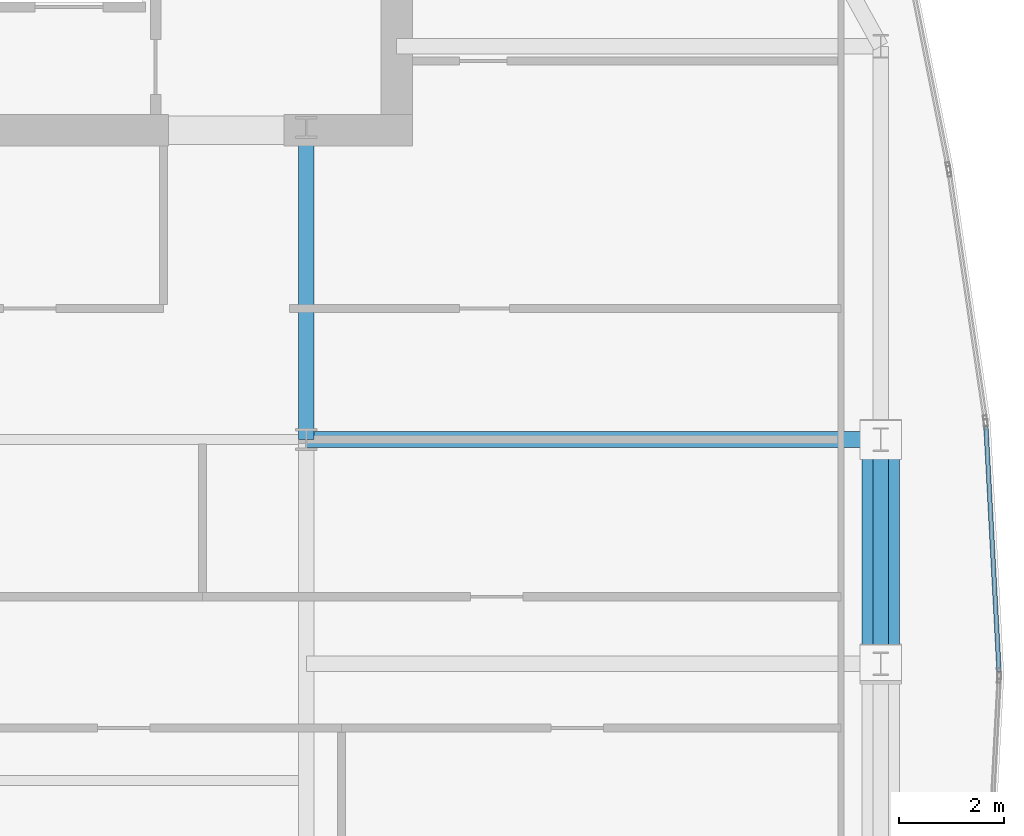
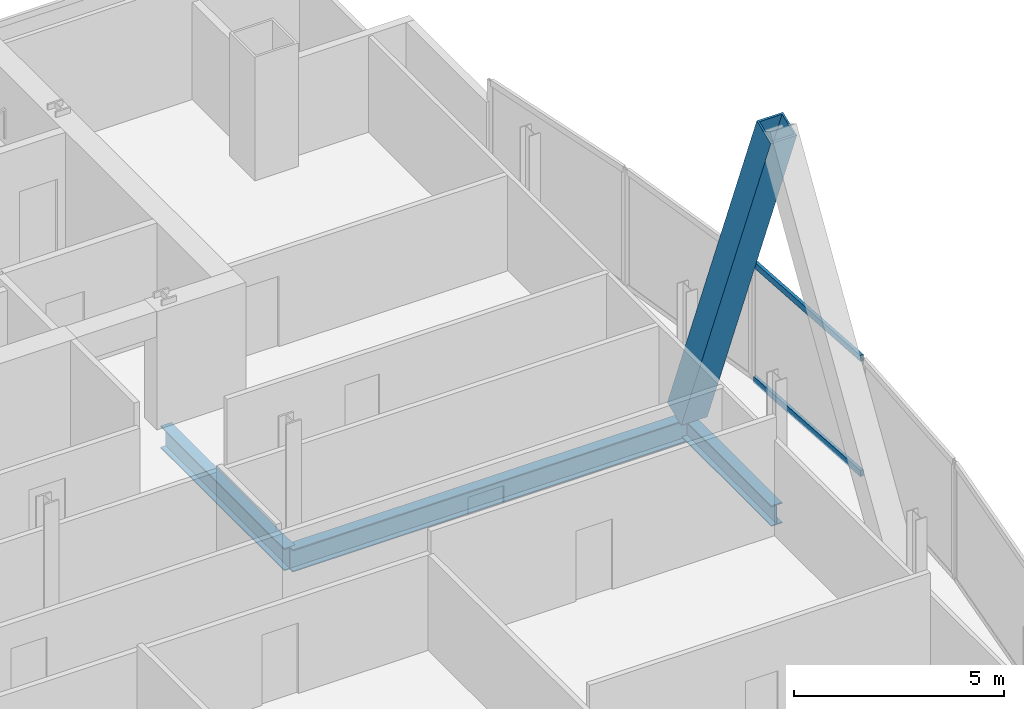
# One storey, part 20 of 32: 3 beams, 3 members, 1 element without a shape of its own.
"""IFC4 building model written with IfcOpenShell, lengths in metres."""

from ifc_helpers import new_model, si_unit, direction, frame, origin, origin_2d, place, context, subcontext, project, spatial, hollow_rectangle, i_section, extrude, material, material_profile, profile_set, type_object, element, aggregate, save


model = new_model("IFC4")

# Units and contexts
model_context = context("Model", 3, precision=1e-05, world=origin(), true_north=direction((0.0, 1.0)))
body_context = subcontext(model_context, "Body", "Model", "MODEL_VIEW")
ifc_project = project(units=[si_unit("LENGTHUNIT", "METRE"), si_unit("AREAUNIT", "SQUARE_METRE"), si_unit("VOLUMEUNIT", "CUBIC_METRE"), si_unit("PLANEANGLEUNIT", "RADIAN"), si_unit("MASSUNIT", "GRAM", prefix="KILO")], contexts=[model_context])

# Site, building, storey
site_placement = place(None, origin())
site = spatial("IfcSite", under=ifc_project, at=site_placement, CompositionType="ELEMENT")
building_placement = place(site_placement, origin())
building = spatial("IfcBuilding", under=site, at=building_placement, Name="Khoronbel Lancet Exchange", CompositionType="ELEMENT")
storey_placement = place(building_placement, frame((0.0, 0.0, 221.0)))
storey = spatial("IfcBuildingStorey", under=building, at=storey_placement, Name="L56", CompositionType="ELEMENT", Elevation=221.0)

# Beams
ifc_material_1 = material(Name="Steel S355", Category="steel")
ifc_material_profile_1 = material_profile(ifc_material_1, i_section(OverallWidth=0.300048828125, OverallDepth=0.64990234375, WebThickness=0.01611328125, FlangeThickness=0.031005859375, at=origin_2d()), Name="HEB 650")
ifc_profile_set_1 = profile_set([ifc_material_profile_1], Name="Steel S355")
beam_type_1 = type_object("IfcBeamType", Name="BM-BG4", PredefinedType="BEAM", material=ifc_profile_set_1)
beam_1_placement = place(storey_placement, frame((54.675048828125, 35.699951171875, -0.485107421875), z_axis=(0.0, 1.0, 0.0), x_axis=(-1.0, 0.0, 0.0)))
element("IfcBeam", 1, at=beam_1_placement, inside=storey, type_object=beam_type_1, Name="Level L56 spine tie girder GN6", PredefinedType="BEAM", context=body_context, shape_type="SweptSolid", body=[
    extrude(i_section(OverallWidth=0.300048828125, OverallDepth=0.64990234375, WebThickness=0.01611328125, FlangeThickness=0.031005859375, at=origin_2d()), origin(), (0.0, 0.0, 1.0), 5.900146484375),
])
beam_2_placement = place(storey_placement, frame((54.675048828125, 35.699951171875, -0.485107421875), z_axis=(1.0, 0.0, 0.0), x_axis=(0.0, 1.0, 0.0)))
element("IfcBeam", 2, at=beam_2_placement, inside=storey, type_object=beam_type_1, Name="Level L56 east lens tie girder LG4E", PredefinedType="BEAM", context=body_context, shape_type="SweptSolid", body=[
    extrude(i_section(OverallWidth=0.300048828125, OverallDepth=0.64990234375, WebThickness=0.01611328125, FlangeThickness=0.031005859375, at=origin_2d()), origin(), (0.0, 0.0, 1.0), 10.954833984375),
])
ifc_material_profile_2 = material_profile(ifc_material_1, i_section(OverallWidth=0.300048828125, OverallDepth=0.60009765625, WebThickness=0.015380859375, FlangeThickness=0.030029296875, at=origin_2d()), Name="HEB 600")
ifc_profile_set_2 = profile_set([ifc_material_profile_2], Name="Steel S355")
beam_type_2 = type_object("IfcBeamType", Name="BM-BSP2", PredefinedType="SPANDREL", material=ifc_profile_set_2)
beam_3_placement = place(storey_placement, frame((65.6298828125, 31.425048828125, -0.4599609375), z_axis=(0.0, 1.0, 0.0), x_axis=(-1.0, 0.0, 0.0)))
element("IfcBeam", 3, at=beam_3_placement, inside=storey, type_object=beam_type_2, Name="Level L56 perimeter spandrel beam SP13", PredefinedType="SPANDREL", context=body_context, shape_type="SweptSolid", body=[
    extrude(i_section(OverallWidth=0.300048828125, OverallDepth=0.60009765625, WebThickness=0.015380859375, FlangeThickness=0.030029296875, at=origin_2d()), origin(), (0.0, 0.0, 1.0), 4.27490234375),
])

# Curtain wall, members
ifc_material_2 = material(Name="Low-E Solar Control Insulating Glass", Category="glass")
curtain_wall_type = type_object("IfcCurtainWallType", Name="CW-4", PredefinedType="NOTDEFINED", material=ifc_material_2)
curtain_wall_placement = place(storey_placement, origin())
curtain_wall = element("IfcCurtainWall", 4, at=curtain_wall_placement, inside=storey, type_object=curtain_wall_type, Name="Unitised curtain wall CW-L56-E19", PredefinedType="NOTDEFINED")
ifc_material_3 = material(Name="Bronze-Anodised Aluminium 6063-T6", Category="aluminium")
ifc_material_profile_3 = material_profile(ifc_material_3, hollow_rectangle(XDim=0.0849609375, YDim=0.179931640625, WallThickness=0.0048828125, at=origin_2d()), Name="ALU TRANSOM 85x180")
ifc_profile_set_3 = profile_set([ifc_material_profile_3], Name="Bronze-Anodised Aluminium 6063-T6")
member_type_1 = type_object("IfcMemberType", Name="MEM-CWT1", PredefinedType="USERDEFINED", material=ifc_profile_set_3)
member_1_placement = place(storey_placement, frame((67.635986328125, 35.949462890625, 0.04248046875), z_axis=(0.053456647282, -0.998570171226, 0.0), x_axis=(0.998570171226, 0.053456647282, 0.0)))
member_1 = element("IfcMember", 5, at=member_1_placement, type_object=member_type_1, Name="CW4 transom 1.1", ObjectType="TRANSOM", PredefinedType="USERDEFINED", context=body_context, shape_type="SweptSolid", body=[
    extrude(hollow_rectangle(XDim=0.0849609375, YDim=0.179931640625, WallThickness=0.0048828125, at=origin_2d()), origin(), (0.0, 0.0, 1.0), 4.68115234375),
])
member_2_placement = place(storey_placement, frame((67.635986328125, 35.949462890625, 3.3974609375), z_axis=(0.053456647282, -0.998570171226, 0.0), x_axis=(0.998570171226, 0.053456647282, 0.0)))
member_2 = element("IfcMember", 6, at=member_2_placement, type_object=member_type_1, Name="CW4 transom 1.2", ObjectType="TRANSOM", PredefinedType="USERDEFINED", context=body_context, shape_type="SweptSolid", body=[
    extrude(hollow_rectangle(XDim=0.0849609375, YDim=0.179931640625, WallThickness=0.0048828125, at=origin_2d()), origin(), (0.0, 0.0, 1.0), 4.68115234375),
])
aggregate(curtain_wall, [member_1, member_2])

# Member
ifc_material_4 = material(Name="Steel S460", Category="steel")
ifc_material_profile_4 = material_profile(ifc_material_4, hollow_rectangle(XDim=0.719970703125, YDim=0.719970703125, WallThickness=0.050048828125, at=origin_2d()), Name="BOX 720x720x50")
ifc_profile_set_4 = profile_set([ifc_material_profile_4], Name="Steel S460")
member_type_2 = type_object("IfcMemberType", Name="MEM-MB2", PredefinedType="BRACE", material=ifc_profile_set_4)
member_3_placement = place(storey_placement, frame((65.6298828125, 35.699951171875, 0.0), z_axis=(0.0, -0.368039743753, 0.929810059646), x_axis=(1.0, 0.0, 0.0)))
element("IfcMember", 7, at=member_3_placement, inside=storey, type_object=member_type_2, Name="Perimeter lancet brace tier 19 E-P-R", PredefinedType="BRACE", context=body_context, shape_type="SweptSolid", body=[
    extrude(hollow_rectangle(XDim=0.719970703125, YDim=0.719970703125, WallThickness=0.050048828125, at=origin_2d()), origin(), (0.0, 0.0, 1.0), 11.615234375),
])

save(model, "model.ifc")
